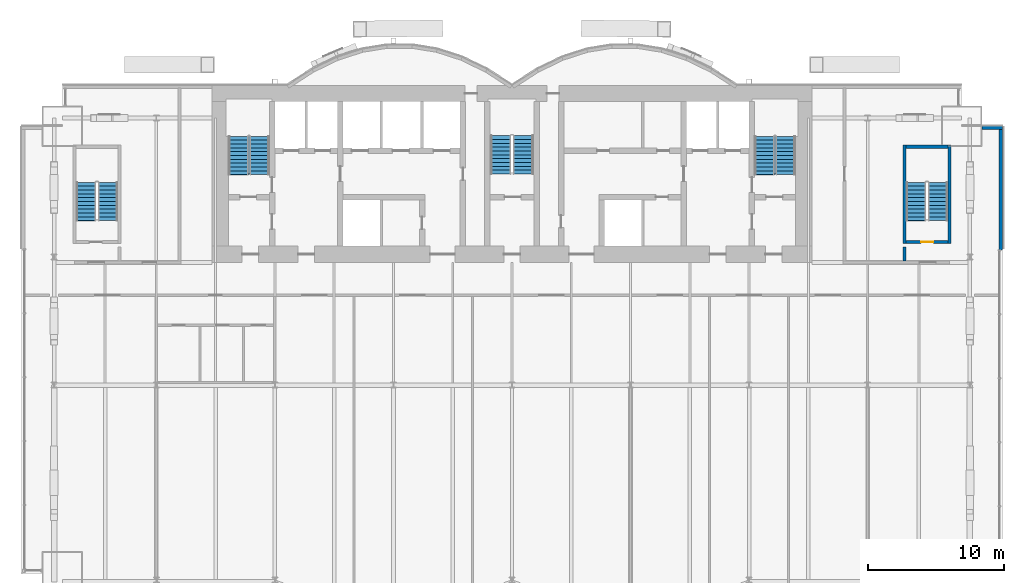
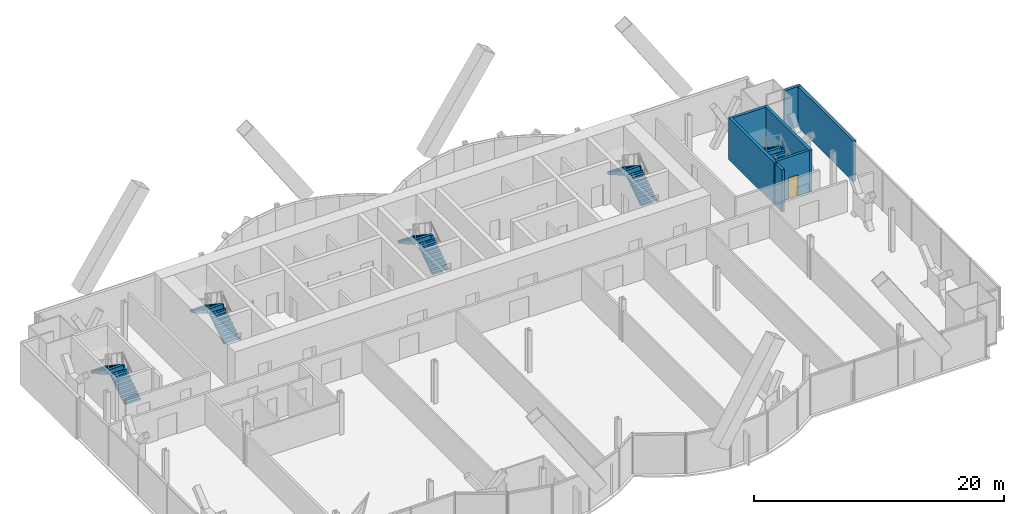
# One storey, part 19 of 22: 10 stair flights, 7 walls, 1 door, 1 opening, 5 elements without a shape of their own.
"""IFC4 building model written with IfcOpenShell, lengths in metres."""

from ifc_helpers import new_model, si_unit, direction, frame, frame_2d, origin, place, context, subcontext, project, spatial, polyline, rectangle, outline, extrude, material, layer, layer_set, layer_usage, type_object, element, fill, aggregate, save


model = new_model("IFC4")

# Units and contexts
model_context = context("Model", 3, precision=1e-05, world=origin(), true_north=direction((0.0, 1.0)))
body_context = subcontext(model_context, "Body", "Model", "MODEL_VIEW")
ifc_project = project(units=[si_unit("LENGTHUNIT", "METRE"), si_unit("AREAUNIT", "SQUARE_METRE"), si_unit("VOLUMEUNIT", "CUBIC_METRE"), si_unit("PLANEANGLEUNIT", "RADIAN"), si_unit("MASSUNIT", "GRAM", prefix="KILO")], contexts=[model_context])

# Site, building, storey
site_placement = place(None, origin())
site = spatial("IfcSite", under=ifc_project, at=site_placement, CompositionType="ELEMENT")
building_placement = place(site_placement, origin())
building = spatial("IfcBuilding", under=site, at=building_placement, Name="Bicima Exchange Tower", CompositionType="ELEMENT")
storey_placement = place(building_placement, frame((0.0, 0.0, 94.0)))
storey = spatial("IfcBuildingStorey", under=building, at=storey_placement, Name="L19", CompositionType="ELEMENT", Elevation=94.0)

# Walls
ifc_material_1 = material(Name="Concrete C50/60", Category="concrete")
ifc_layer_1 = layer(ifc_material_1, 0.25)
ifc_layer_set_1 = layer_set([ifc_layer_1], Name="Concrete C50/60")
wall_type_1 = type_object("IfcWallType", Name="RC core wall 250 C50/60", PredefinedType="SHEAR", material=ifc_layer_set_1)
wall_1_placement = place(storey_placement, frame((28.800048828125, -12.89990234375, 0.0), z_axis=(0.0, 0.0, 1.0), x_axis=(0.0, 1.0, 0.0)))
element("IfcWall", 1, at=wall_1_placement, inside=storey, type_object=wall_type_1, Name="stair wall 32", PredefinedType="SHEAR", context=body_context, shape_type="SweptSolid", body=[
    extrude(rectangle(XDim=1.0498046875, YDim=0.25, at=frame_2d((0.52490234375, 0.0))), origin(), (0.0, 0.0, 1.0), 4.10009765625),
])
ifc_layer_2 = layer(ifc_material_1, 0.25)
ifc_layer_set_2 = layer_set([ifc_layer_2], Name="Concrete C50/60")
wall_type_2 = type_object("IfcWallType", Name="RC stair enclosure wall 250 C50/60", PredefinedType="SHEAR", material=ifc_layer_set_2)
for number, where, z_axis, x_axis, name in (
    (2, (28.800048828125, -11.625, 0.0), (0.0, 0.0, 1.0), (0.0, 1.0, 0.0), "East end exit stair wall W"),
    (3, (32.10009765625, -11.625, 0.0), (0.0, 0.0, 1.0), (0.0, 1.0, 0.0), "East end exit stair wall E"),
):
    element("IfcWall", number, at=place(storey_placement, frame(where, z_axis=z_axis, x_axis=x_axis)), inside=storey, type_object=wall_type_2, Name=name, PredefinedType="SHEAR", context=body_context, shape_type="SweptSolid", body=[
        extrude(rectangle(XDim=7.25, YDim=0.25, at=frame_2d((3.625, 0.0))), origin(), (0.0, 0.0, 1.0), 4.10009765625),
    ])

# Wall, opening, door
wall_2_placement = place(storey_placement, frame((28.925048828125, -11.5, 0.0), z_axis=(0.0, 0.0, 1.0), x_axis=(1.0, 0.0, 0.0)))
wall_2 = element("IfcWall", 4, at=wall_2_placement, inside=storey, type_object=wall_type_2, Name="East end exit stair wall S", PredefinedType="SHEAR", context=body_context, shape_type="SweptSolid", body=[
    extrude(rectangle(XDim=3.050048828125, YDim=0.25, at=frame_2d((1.52490234375, 0.0))), origin(), (0.0, 0.0, 1.0), 4.10009765625),
])
opening_placement = place(wall_2_placement, frame((1.10009765625, 0.0, 0.0)))
opening = element("IfcOpeningElement", 5, at=opening_placement, cuts=wall_2, Name="Opening L19-004", PredefinedType="OPENING", context=body_context, shape_type="SweptSolid", body=[
    extrude(rectangle(XDim=0.89990234375, YDim=2.10009765625, at=frame_2d((0.449951171875, 1.050048828125))), frame((0.0, 0.136962890625, 0.0), z_axis=(0.0, -1.0, 0.0), x_axis=(1.0, 0.0, 0.0)), (0.0, 0.0, 1.0), 0.27392578125),
])
ifc_material_2 = material(Name="Steel fire door leaf", Category="steel")
door_type = type_object("IfcDoorType", Name="Door 900 swing FD60S", OperationType="SINGLE_SWING_LEFT", PredefinedType="DOOR", material=ifc_material_2)
door_placement = place(opening_placement, origin())
door = element("IfcDoor", 6, at=door_placement, inside=storey, type_object=door_type, Name="Door", OperationType="SINGLE_SWING_LEFT", OverallHeight=2.10009765625, OverallWidth=0.89990234375, PredefinedType="DOOR", context=body_context, shape_type="SweptSolid", body=[
    extrude(rectangle(XDim=0.89990234375, YDim=2.10009765625, at=frame_2d((0.449951171875, 1.050048828125))), frame((0.0, 0.02490234375, 0.0), z_axis=(0.0, -1.0, 0.0), x_axis=(1.0, 0.0, 0.0)), (0.0, 0.0, 1.0), 0.050048828125),
])
fill(opening, door)

# Walls
wall_3_placement = place(storey_placement, frame((28.925048828125, -4.5, 0.0), z_axis=(0.0, 0.0, 1.0), x_axis=(1.0, 0.0, 0.0)))
element("IfcWall", 7, at=wall_3_placement, inside=storey, type_object=wall_type_2, Name="East end exit stair wall N", PredefinedType="SHEAR", context=body_context, shape_type="SweptSolid", body=[
    extrude(rectangle(XDim=3.050048828125, YDim=0.25, at=frame_2d((1.52490234375, 0.0))), origin(), (0.0, 0.0, 1.0), 4.10009765625),
])
ifc_material_3 = material(Name="Concrete C40/50", Category="concrete")
ifc_layer_3 = layer(ifc_material_3, 0.25)
ifc_layer_set_3 = layer_set([ifc_layer_3], Name="Concrete C40/50")
ifc_layer_usage = layer_usage(ifc_layer_set_3, "AXIS2", "POSITIVE", -0.125)
wall_type_3 = type_object("IfcWallType", Name="Rear backup wall 250", PredefinedType="STANDARD", material=ifc_layer_set_3)
wall_4_placement = place(storey_placement, frame((35.875, -12.090087890625, 0.0), z_axis=(0.0, 0.0, 1.0), x_axis=(0.0, 1.0, 0.0)))
element("IfcWall", 8, at=wall_4_placement, inside=storey, type_object=wall_type_3, material=ifc_layer_usage, Name="Rear backup wall L19 50", PredefinedType="STANDARD", context=body_context, shape_type="SweptSolid", body=[
    extrude(rectangle(XDim=9.090087890625, YDim=0.25, at=frame_2d((4.544921875, 0.0))), origin(), (0.0, 0.0, 1.0), 3.949951171875),
])
wall_5_placement = place(storey_placement, frame((36.0, -3.125, 0.0), z_axis=(0.0, 0.0, 1.0), x_axis=(-1.0, 0.0, 0.0)))
element("IfcWall", 9, at=wall_5_placement, inside=storey, type_object=wall_type_3, material=ifc_layer_usage, Name="Rear backup wall L19 51", PredefinedType="STANDARD", context=body_context, shape_type="SweptSolid", body=[
    extrude(rectangle(XDim=1.5, YDim=0.25, at=frame_2d((0.75, 0.0))), origin(), (0.0, 0.0, 1.0), 3.949951171875),
])

# Stair, stair flights
stair_type_1 = type_object("IfcStairType", Name="Exit stair", PredefinedType="HALF_TURN_STAIR", material=ifc_material_1)
stair_1_placement = place(storey_placement, origin())
stair_1 = element("IfcStair", 10, at=stair_1_placement, inside=storey, type_object=stair_type_1, Name="L19 West exit stair", PredefinedType="HALF_TURN_STAIR")
stair_flight_type_1 = type_object("IfcStairFlightType", Name="Stair flight RC", PredefinedType="STRAIGHT", material=ifc_material_1)
stair_flight_1_placement = place(storey_placement, frame((-18.52490234375, -6.550048828125, 0.0), z_axis=(0.0, 0.0, 1.0), x_axis=(0.0, 1.0, 0.0)))
stair_flight_1 = element("IfcStairFlight", 11, at=stair_flight_1_placement, type_object=stair_flight_type_1, Name="ST-W flight 1", NumberOfRisers=11, NumberOfTreads=10, PredefinedType="STRAIGHT", RiserHeight=0.186363636, TreadLength=0.28, context=body_context, shape_type="SweptSolid", body=[
    extrude(outline(polyline([(0.0, 0.0), (0.0, 0.186279296875), (0.280029296875, 0.186279296875), (0.280029296875, 0.372802734375), (0.56005859375, 0.372802734375), (0.56005859375, 0.55908203125), (0.840087890625, 0.55908203125), (0.840087890625, 0.745361328125), (1.1201171875, 0.745361328125), (1.1201171875, 0.931884765625), (1.39990234375, 0.931884765625), (1.39990234375, 1.1181640625), (1.679931640625, 1.1181640625), (1.679931640625, 1.304443359375), (1.9599609375, 1.304443359375), (1.9599609375, 1.490966796875), (2.239990234375, 1.490966796875), (2.239990234375, 1.67724609375), (2.52001953125, 1.67724609375), (2.52001953125, 1.863525390625), (2.800048828125, 1.863525390625), (2.800048828125, 2.050048828125), (2.800048828125, 1.68359375), (0.2705078125, 0.0), (0.0, 0.0)])), frame((0.0, 0.72509765625, 0.0), z_axis=(0.0, -1.0, 0.0), x_axis=(1.0, 0.0, 0.0)), (0.0, 0.0, 1.0), 1.449951171875),
])
stair_flight_2_placement = place(storey_placement, frame((-20.074951171875, -3.75, 2.050048828125), z_axis=(0.0, 0.0, 1.0), x_axis=(0.0, -1.0, 0.0)))
stair_flight_2 = element("IfcStairFlight", 12, at=stair_flight_2_placement, type_object=stair_flight_type_1, Name="ST-W flight 2", NumberOfRisers=11, NumberOfTreads=10, PredefinedType="STRAIGHT", RiserHeight=0.186363636, TreadLength=0.28, context=body_context, shape_type="SweptSolid", body=[
    extrude(outline(polyline([(0.0, 0.0), (0.0, 0.186279296875), (0.280029296875, 0.186279296875), (0.280029296875, 0.372802734375), (0.56005859375, 0.372802734375), (0.56005859375, 0.55908203125), (0.840087890625, 0.55908203125), (0.840087890625, 0.745361328125), (1.1201171875, 0.745361328125), (1.1201171875, 0.931884765625), (1.39990234375, 0.931884765625), (1.39990234375, 1.1181640625), (1.679931640625, 1.1181640625), (1.679931640625, 1.304443359375), (1.9599609375, 1.304443359375), (1.9599609375, 1.490966796875), (2.239990234375, 1.490966796875), (2.239990234375, 1.67724609375), (2.52001953125, 1.67724609375), (2.52001953125, 1.863525390625), (2.800048828125, 1.863525390625), (2.800048828125, 1.904052734375), (2.81494140625, 1.904052734375), (2.81494140625, 1.507080078125), (0.2705078125, 0.0), (0.0, 0.0)])), frame((0.0, 0.72509765625, 0.0), z_axis=(0.0, -1.0, 0.0), x_axis=(1.0, 0.0, 0.0)), (0.0, 0.0, 1.0), 1.449951171875),
])
aggregate(stair_1, [stair_flight_1, stair_flight_2])

stair_2_placement = place(storey_placement, origin())
stair_2 = element("IfcStair", 13, at=stair_2_placement, inside=storey, type_object=stair_type_1, Name="L19 East exit stair", PredefinedType="HALF_TURN_STAIR")
stair_flight_3_placement = place(storey_placement, frame((20.074951171875, -6.550048828125, 0.0), z_axis=(0.0, 0.0, 1.0), x_axis=(0.0, 1.0, 0.0)))
stair_flight_3 = element("IfcStairFlight", 14, at=stair_flight_3_placement, type_object=stair_flight_type_1, Name="ST-E flight 1", NumberOfRisers=11, NumberOfTreads=10, PredefinedType="STRAIGHT", RiserHeight=0.186363636, TreadLength=0.28, context=body_context, shape_type="SweptSolid", body=[
    extrude(outline(polyline([(0.0, 0.0), (0.0, 0.186279296875), (0.280029296875, 0.186279296875), (0.280029296875, 0.372802734375), (0.56005859375, 0.372802734375), (0.56005859375, 0.55908203125), (0.840087890625, 0.55908203125), (0.840087890625, 0.745361328125), (1.1201171875, 0.745361328125), (1.1201171875, 0.931884765625), (1.39990234375, 0.931884765625), (1.39990234375, 1.1181640625), (1.679931640625, 1.1181640625), (1.679931640625, 1.304443359375), (1.9599609375, 1.304443359375), (1.9599609375, 1.490966796875), (2.239990234375, 1.490966796875), (2.239990234375, 1.67724609375), (2.52001953125, 1.67724609375), (2.52001953125, 1.863525390625), (2.800048828125, 1.863525390625), (2.800048828125, 2.050048828125), (2.800048828125, 1.68359375), (0.2705078125, 0.0), (0.0, 0.0)])), frame((0.0, 0.72509765625, 0.0), z_axis=(0.0, -1.0, 0.0), x_axis=(1.0, 0.0, 0.0)), (0.0, 0.0, 1.0), 1.449951171875),
])
stair_flight_4_placement = place(storey_placement, frame((18.52490234375, -3.75, 2.050048828125), z_axis=(0.0, 0.0, 1.0), x_axis=(0.0, -1.0, 0.0)))
stair_flight_4 = element("IfcStairFlight", 15, at=stair_flight_4_placement, type_object=stair_flight_type_1, Name="ST-E flight 2", NumberOfRisers=11, NumberOfTreads=10, PredefinedType="STRAIGHT", RiserHeight=0.186363636, TreadLength=0.28, context=body_context, shape_type="SweptSolid", body=[
    extrude(outline(polyline([(0.0, 0.0), (0.0, 0.186279296875), (0.280029296875, 0.186279296875), (0.280029296875, 0.372802734375), (0.56005859375, 0.372802734375), (0.56005859375, 0.55908203125), (0.840087890625, 0.55908203125), (0.840087890625, 0.745361328125), (1.1201171875, 0.745361328125), (1.1201171875, 0.931884765625), (1.39990234375, 0.931884765625), (1.39990234375, 1.1181640625), (1.679931640625, 1.1181640625), (1.679931640625, 1.304443359375), (1.9599609375, 1.304443359375), (1.9599609375, 1.490966796875), (2.239990234375, 1.490966796875), (2.239990234375, 1.67724609375), (2.52001953125, 1.67724609375), (2.52001953125, 1.863525390625), (2.800048828125, 1.863525390625), (2.800048828125, 1.904052734375), (2.81494140625, 1.904052734375), (2.81494140625, 1.507080078125), (0.2705078125, 0.0), (0.0, 0.0)])), frame((0.0, 0.72509765625, 0.0), z_axis=(0.0, -1.0, 0.0), x_axis=(1.0, 0.0, 0.0)), (0.0, 0.0, 1.0), 1.449951171875),
])
aggregate(stair_2, [stair_flight_3, stair_flight_4])

stair_3_placement = place(storey_placement, origin())
stair_3 = element("IfcStair", 16, at=stair_3_placement, inside=storey, type_object=stair_type_1, Name="L19 West end exit stair", PredefinedType="HALF_TURN_STAIR")
stair_flight_5_placement = place(storey_placement, frame((-29.64990234375, -9.925048828125, 0.0), z_axis=(0.0, 0.0, 1.0), x_axis=(0.0, 1.0, 0.0)))
stair_flight_5 = element("IfcStairFlight", 17, at=stair_flight_5_placement, type_object=stair_flight_type_1, Name="ST-WW flight 1", NumberOfRisers=11, NumberOfTreads=10, PredefinedType="STRAIGHT", RiserHeight=0.186363636, TreadLength=0.28, context=body_context, shape_type="SweptSolid", body=[
    extrude(outline(polyline([(0.0, 0.0), (0.0, 0.186279296875), (0.280029296875, 0.186279296875), (0.280029296875, 0.372802734375), (0.56005859375, 0.372802734375), (0.56005859375, 0.55908203125), (0.840087890625, 0.55908203125), (0.840087890625, 0.745361328125), (1.1201171875, 0.745361328125), (1.1201171875, 0.931884765625), (1.39990234375, 0.931884765625), (1.39990234375, 1.1181640625), (1.679931640625, 1.1181640625), (1.679931640625, 1.304443359375), (1.9599609375, 1.304443359375), (1.9599609375, 1.490966796875), (2.239990234375, 1.490966796875), (2.239990234375, 1.67724609375), (2.52001953125, 1.67724609375), (2.52001953125, 1.863525390625), (2.800048828125, 1.863525390625), (2.800048828125, 2.050048828125), (2.800048828125, 1.68359375), (0.2705078125, 0.0), (0.0, 0.0)])), frame((0.0, 0.72509765625, 0.0), z_axis=(0.0, -1.0, 0.0), x_axis=(1.0, 0.0, 0.0)), (0.0, 0.0, 1.0), 1.449951171875),
])
stair_flight_6_placement = place(storey_placement, frame((-31.25, -7.125, 2.050048828125), z_axis=(0.0, 0.0, 1.0), x_axis=(0.0, -1.0, 0.0)))
stair_flight_6 = element("IfcStairFlight", 18, at=stair_flight_6_placement, type_object=stair_flight_type_1, Name="ST-WW flight 2", NumberOfRisers=11, NumberOfTreads=10, PredefinedType="STRAIGHT", RiserHeight=0.186363636, TreadLength=0.28, context=body_context, shape_type="SweptSolid", body=[
    extrude(outline(polyline([(0.0, 0.0), (0.0, 0.186279296875), (0.280029296875, 0.186279296875), (0.280029296875, 0.372802734375), (0.56005859375, 0.372802734375), (0.56005859375, 0.55908203125), (0.840087890625, 0.55908203125), (0.840087890625, 0.745361328125), (1.1201171875, 0.745361328125), (1.1201171875, 0.931884765625), (1.39990234375, 0.931884765625), (1.39990234375, 1.1181640625), (1.679931640625, 1.1181640625), (1.679931640625, 1.304443359375), (1.9599609375, 1.304443359375), (1.9599609375, 1.490966796875), (2.239990234375, 1.490966796875), (2.239990234375, 1.67724609375), (2.52001953125, 1.67724609375), (2.52001953125, 1.863525390625), (2.800048828125, 1.863525390625), (2.800048828125, 1.904052734375), (2.81494140625, 1.904052734375), (2.81494140625, 1.507080078125), (0.2705078125, 0.0), (0.0, 0.0)])), frame((0.0, 0.72509765625, 0.0), z_axis=(0.0, -1.0, 0.0), x_axis=(1.0, 0.0, 0.0)), (0.0, 0.0, 1.0), 1.449951171875),
])
aggregate(stair_3, [stair_flight_5, stair_flight_6])

stair_4_placement = place(storey_placement, origin())
stair_4 = element("IfcStair", 19, at=stair_4_placement, inside=storey, type_object=stair_type_1, Name="L19 East end exit stair", PredefinedType="HALF_TURN_STAIR")
stair_flight_7_placement = place(storey_placement, frame((31.25, -9.925048828125, 0.0), z_axis=(0.0, 0.0, 1.0), x_axis=(0.0, 1.0, 0.0)))
stair_flight_7 = element("IfcStairFlight", 20, at=stair_flight_7_placement, type_object=stair_flight_type_1, Name="ST-EE flight 1", NumberOfRisers=11, NumberOfTreads=10, PredefinedType="STRAIGHT", RiserHeight=0.186363636, TreadLength=0.28, context=body_context, shape_type="SweptSolid", body=[
    extrude(outline(polyline([(0.0, 0.0), (0.0, 0.186279296875), (0.280029296875, 0.186279296875), (0.280029296875, 0.372802734375), (0.56005859375, 0.372802734375), (0.56005859375, 0.55908203125), (0.840087890625, 0.55908203125), (0.840087890625, 0.745361328125), (1.1201171875, 0.745361328125), (1.1201171875, 0.931884765625), (1.39990234375, 0.931884765625), (1.39990234375, 1.1181640625), (1.679931640625, 1.1181640625), (1.679931640625, 1.304443359375), (1.9599609375, 1.304443359375), (1.9599609375, 1.490966796875), (2.239990234375, 1.490966796875), (2.239990234375, 1.67724609375), (2.52001953125, 1.67724609375), (2.52001953125, 1.863525390625), (2.800048828125, 1.863525390625), (2.800048828125, 2.050048828125), (2.800048828125, 1.68359375), (0.2705078125, 0.0), (0.0, 0.0)])), frame((0.0, 0.72509765625, 0.0), z_axis=(0.0, -1.0, 0.0), x_axis=(1.0, 0.0, 0.0)), (0.0, 0.0, 1.0), 1.449951171875),
])
stair_flight_8_placement = place(storey_placement, frame((29.64990234375, -7.125, 2.050048828125), z_axis=(0.0, 0.0, 1.0), x_axis=(0.0, -1.0, 0.0)))
stair_flight_8 = element("IfcStairFlight", 21, at=stair_flight_8_placement, type_object=stair_flight_type_1, Name="ST-EE flight 2", NumberOfRisers=11, NumberOfTreads=10, PredefinedType="STRAIGHT", RiserHeight=0.186363636, TreadLength=0.28, context=body_context, shape_type="SweptSolid", body=[
    extrude(outline(polyline([(0.0, 0.0), (0.0, 0.186279296875), (0.280029296875, 0.186279296875), (0.280029296875, 0.372802734375), (0.56005859375, 0.372802734375), (0.56005859375, 0.55908203125), (0.840087890625, 0.55908203125), (0.840087890625, 0.745361328125), (1.1201171875, 0.745361328125), (1.1201171875, 0.931884765625), (1.39990234375, 0.931884765625), (1.39990234375, 1.1181640625), (1.679931640625, 1.1181640625), (1.679931640625, 1.304443359375), (1.9599609375, 1.304443359375), (1.9599609375, 1.490966796875), (2.239990234375, 1.490966796875), (2.239990234375, 1.67724609375), (2.52001953125, 1.67724609375), (2.52001953125, 1.863525390625), (2.800048828125, 1.863525390625), (2.800048828125, 1.904052734375), (2.81494140625, 1.904052734375), (2.81494140625, 1.507080078125), (0.2705078125, 0.0), (0.0, 0.0)])), frame((0.0, 0.72509765625, 0.0), z_axis=(0.0, -1.0, 0.0), x_axis=(1.0, 0.0, 0.0)), (0.0, 0.0, 1.0), 1.449951171875),
])
aggregate(stair_4, [stair_flight_7, stair_flight_8])

stair_type_2 = type_object("IfcStairType", Name="Exit stair 1500", PredefinedType="HALF_TURN_STAIR", material=ifc_material_1)
stair_5_placement = place(storey_placement, origin())
stair_5 = element("IfcStair", 22, at=stair_5_placement, inside=storey, type_object=stair_type_2, Name="L19 Central exit stair", PredefinedType="HALF_TURN_STAIR")
stair_flight_type_2 = type_object("IfcStairFlightType", Name="Stair flight RC 1500", PredefinedType="STRAIGHT", material=ifc_material_1)
stair_flight_9_placement = place(storey_placement, frame((0.824951171875, -6.5, 0.0), z_axis=(0.0, 0.0, 1.0), x_axis=(0.0, 1.0, 0.0)))
stair_flight_9 = element("IfcStairFlight", 23, at=stair_flight_9_placement, type_object=stair_flight_type_2, Name="ST-C flight 1", NumberOfRisers=11, NumberOfTreads=10, PredefinedType="STRAIGHT", RiserHeight=0.186363636, TreadLength=0.28, context=body_context, shape_type="SweptSolid", body=[
    extrude(outline(polyline([(0.0, 0.0), (0.0, 0.186279296875), (0.280029296875, 0.186279296875), (0.280029296875, 0.372802734375), (0.56005859375, 0.372802734375), (0.56005859375, 0.55908203125), (0.840087890625, 0.55908203125), (0.840087890625, 0.745361328125), (1.1201171875, 0.745361328125), (1.1201171875, 0.931884765625), (1.39990234375, 0.931884765625), (1.39990234375, 1.1181640625), (1.679931640625, 1.1181640625), (1.679931640625, 1.304443359375), (1.9599609375, 1.304443359375), (1.9599609375, 1.490966796875), (2.239990234375, 1.490966796875), (2.239990234375, 1.67724609375), (2.52001953125, 1.67724609375), (2.52001953125, 1.863525390625), (2.800048828125, 1.863525390625), (2.800048828125, 2.050048828125), (2.800048828125, 1.68359375), (0.2705078125, 0.0), (0.0, 0.0)])), frame((0.0, 0.75, 0.0), z_axis=(0.0, -1.0, 0.0), x_axis=(1.0, 0.0, 0.0)), (0.0, 0.0, 1.0), 1.5),
])
stair_flight_10_placement = place(storey_placement, frame((-0.824951171875, -3.699951171875, 2.050048828125), z_axis=(0.0, 0.0, 1.0), x_axis=(0.0, -1.0, 0.0)))
stair_flight_10 = element("IfcStairFlight", 24, at=stair_flight_10_placement, type_object=stair_flight_type_2, Name="ST-C flight 2", NumberOfRisers=11, NumberOfTreads=10, PredefinedType="STRAIGHT", RiserHeight=0.186363636, TreadLength=0.28, context=body_context, shape_type="SweptSolid", body=[
    extrude(outline(polyline([(0.0, 0.0), (0.0, 0.186279296875), (0.280029296875, 0.186279296875), (0.280029296875, 0.372802734375), (0.56005859375, 0.372802734375), (0.56005859375, 0.55908203125), (0.840087890625, 0.55908203125), (0.840087890625, 0.745361328125), (1.1201171875, 0.745361328125), (1.1201171875, 0.931884765625), (1.39990234375, 0.931884765625), (1.39990234375, 1.1181640625), (1.679931640625, 1.1181640625), (1.679931640625, 1.304443359375), (1.9599609375, 1.304443359375), (1.9599609375, 1.490966796875), (2.239990234375, 1.490966796875), (2.239990234375, 1.67724609375), (2.52001953125, 1.67724609375), (2.52001953125, 1.863525390625), (2.800048828125, 1.863525390625), (2.800048828125, 1.904052734375), (2.81494140625, 1.904052734375), (2.81494140625, 1.507080078125), (0.2705078125, 0.0), (0.0, 0.0)])), frame((0.0, 0.75, 0.0), z_axis=(0.0, -1.0, 0.0), x_axis=(1.0, 0.0, 0.0)), (0.0, 0.0, 1.0), 1.5),
])
aggregate(stair_5, [stair_flight_9, stair_flight_10])

save(model, "model.ifc")
